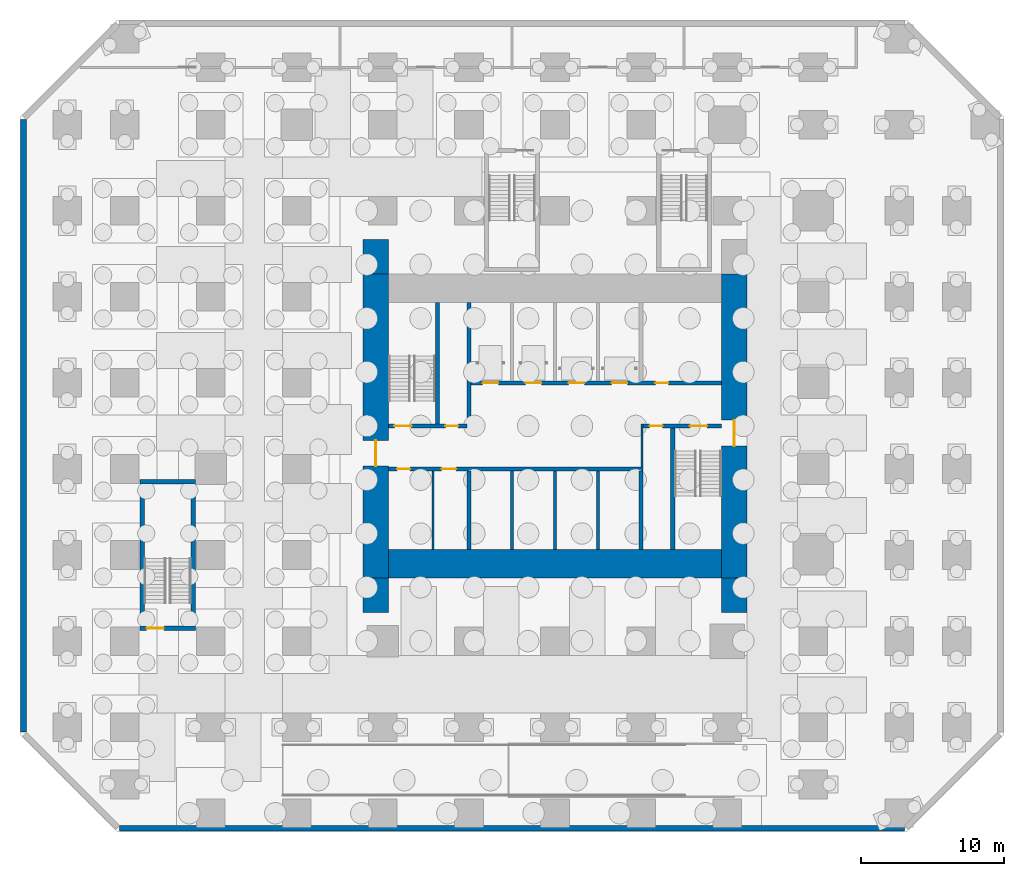
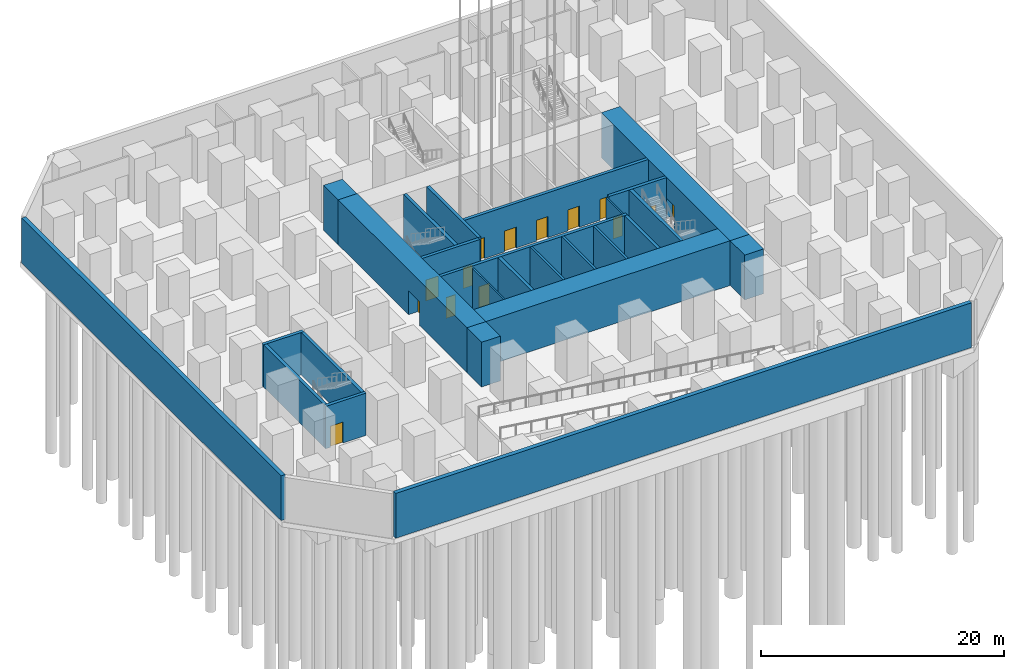
# One storey, part 3 of 11: 26 walls, 14 doors, 14 openings.
"""IFC4 building model written with IfcOpenShell, lengths in metres."""

from ifc_helpers import new_model, si_unit, direction, frame, frame_2d, origin, place, context, subcontext, project, spatial, rectangle, extrude, material, layer, layer_set, type_object, element, fill, save


model = new_model("IFC4")

# Units and contexts
model_context = context("Model", 3, precision=1e-05, world=origin(), true_north=direction((0.0, 1.0)))
body_context = subcontext(model_context, "Body", "Model", "MODEL_VIEW")
ifc_project = project(units=[si_unit("LENGTHUNIT", "METRE"), si_unit("AREAUNIT", "SQUARE_METRE"), si_unit("VOLUMEUNIT", "CUBIC_METRE"), si_unit("PLANEANGLEUNIT", "RADIAN"), si_unit("MASSUNIT", "GRAM", prefix="KILO")], contexts=[model_context])

# Site, building, storey
site_placement = place(None, origin())
site = spatial("IfcSite", under=ifc_project, at=site_placement, CompositionType="ELEMENT")
building_placement = place(site_placement, origin())
building = spatial("IfcBuilding", under=site, at=building_placement, Name="Highveld Stack Headquarters", CompositionType="ELEMENT")
storey_placement = place(building_placement, frame((0.0, 0.0, -9.0)))
storey = spatial("IfcBuildingStorey", under=building, at=storey_placement, Name="B2", CompositionType="ELEMENT", Elevation=-9.0)

# Walls
ifc_material_1 = material(Name="Concrete C60/75", Category="concrete")
ifc_layer_1 = layer(ifc_material_1, 0.39990234375)
ifc_layer_set_1 = layer_set([ifc_layer_1], Name="Concrete C60/75")
wall_type_1 = type_object("IfcWallType", Name="BASEMENT RETAINING WALL 400", PredefinedType="USERDEFINED", material=ifc_layer_set_1)
wall_1_placement = place(storey_placement, frame((-31.050048828125, -18.35009765625, 0.0), z_axis=(0.0, 0.0, 1.0), x_axis=(0.0, 1.0, 0.0)))
element("IfcWall", 1, at=wall_1_placement, inside=storey, type_object=wall_type_1, Name="Basement retaining wall B2 2", ObjectType="RETAINING WALL", PredefinedType="USERDEFINED", context=body_context, shape_type="SweptSolid", body=[
    extrude(rectangle(XDim=42.7001953125, YDim=0.39990234375, at=frame_2d((21.35009765625, 0.0))), origin(), (0.0, 0.0, 1.0), 4.5),
])
wall_2_placement = place(storey_placement, frame((30.35009765625, -25.050048828125, 0.0), z_axis=(0.0, 0.0, 1.0), x_axis=(-1.0, 0.0, 0.0)))
element("IfcWall", 2, at=wall_2_placement, inside=storey, type_object=wall_type_1, Name="Basement retaining wall B2 8", ObjectType="RETAINING WALL", PredefinedType="USERDEFINED", context=body_context, shape_type="SweptSolid", body=[
    extrude(rectangle(XDim=54.7001953125, YDim=0.39990234375, at=frame_2d((27.35009765625, 0.0))), origin(), (0.0, 0.0, 1.0), 4.5),
])

# Wall, opening, door
ifc_material_2 = material(Name="Concrete C60/75", Category="concrete")
ifc_layer_2 = layer(ifc_material_2, 1.800048828125)
ifc_layer_set_2 = layer_set([ifc_layer_2], Name="Concrete C60/75")
wall_type_2 = type_object("IfcWallType", Name="CORE WALL 1800 C60/75", PredefinedType="SHEAR", material=ifc_layer_set_2)
wall_3_placement = place(storey_placement, frame((-6.5, -7.60009765625, 0.0), z_axis=(0.0, 0.0, 1.0), x_axis=(0.0, 1.0, 0.0)))
wall_3 = element("IfcWall", 3, at=wall_3_placement, inside=storey, type_object=wall_type_2, Name="Core wall W B2", PredefinedType="SHEAR", context=body_context, shape_type="SweptSolid", body=[
    extrude(rectangle(XDim=21.2001953125, YDim=1.800048828125, at=frame_2d((10.60009765625, 0.0))), origin(), (0.0, 0.0, 1.0), 4.5),
])
opening_1_placement = place(wall_3_placement, frame((7.800048828125, 0.0, 0.0)))
opening_1 = element("IfcOpeningElement", 4, at=opening_1_placement, cuts=wall_3, Name="Opening B2-01", PredefinedType="OPENING", context=body_context, shape_type="SweptSolid", body=[
    extrude(rectangle(XDim=1.800048828125, YDim=2.39990234375, at=frame_2d((0.89990234375, 1.199951171875))), frame((0.0, 0.909912109375, 0.0), z_axis=(0.0, -1.0, 0.0), x_axis=(1.0, 0.0, 0.0)), (0.0, 0.0, 1.0), 1.820068359375),
])
ifc_material_3 = material(Name="Steel fire door", Category="steel")
door_type_1 = type_object("IfcDoorType", Name="LOBBY FIRE DOOR D4 1800x2400", OperationType="DOUBLE_DOOR_SINGLE_SWING", PredefinedType="DOOR", material=ifc_material_3)
door_1_placement = place(opening_1_placement, origin())
door_1 = element("IfcDoor", 5, at=door_1_placement, inside=storey, type_object=door_type_1, Name="Core west door B2", OperationType="DOUBLE_DOOR_SINGLE_SWING", OverallHeight=2.39990234375, OverallWidth=1.800048828125, PredefinedType="DOOR", context=body_context, shape_type="SweptSolid", body=[
    extrude(rectangle(XDim=1.800048828125, YDim=2.39990234375, at=frame_2d((0.89990234375, 1.199951171875))), frame((0.0, 0.02490234375, 0.0), z_axis=(0.0, -1.0, 0.0), x_axis=(1.0, 0.0, 0.0)), (0.0, 0.0, 1.0), 0.050048828125),
])
fill(opening_1, door_1)

wall_4_placement = place(storey_placement, frame((18.5, -7.60009765625, 0.0), z_axis=(0.0, 0.0, 1.0), x_axis=(0.0, 1.0, 0.0)))
wall_4 = element("IfcWall", 6, at=wall_4_placement, inside=storey, type_object=wall_type_2, Name="Core wall E B2", PredefinedType="SHEAR", context=body_context, shape_type="SweptSolid", body=[
    extrude(rectangle(XDim=21.2001953125, YDim=1.800048828125, at=frame_2d((10.60009765625, 0.0))), origin(), (0.0, 0.0, 1.0), 4.5),
])
opening_2_placement = place(wall_4_placement, frame((9.199951171875, 0.0, 0.0)))
opening_2 = element("IfcOpeningElement", 7, at=opening_2_placement, cuts=wall_4, Name="Opening B2-02", PredefinedType="OPENING", context=body_context, shape_type="SweptSolid", body=[
    extrude(rectangle(XDim=1.800048828125, YDim=2.39990234375, at=frame_2d((0.89990234375, 1.199951171875))), frame((0.0, 0.909912109375, 0.0), z_axis=(0.0, -1.0, 0.0), x_axis=(1.0, 0.0, 0.0)), (0.0, 0.0, 1.0), 1.820068359375),
])
door_2_placement = place(opening_2_placement, origin())
door_2 = element("IfcDoor", 8, at=door_2_placement, inside=storey, type_object=door_type_1, Name="Core east door B2", OperationType="DOUBLE_DOOR_SINGLE_SWING", OverallHeight=2.39990234375, OverallWidth=1.800048828125, PredefinedType="DOOR", context=body_context, shape_type="SweptSolid", body=[
    extrude(rectangle(XDim=1.800048828125, YDim=2.39990234375, at=frame_2d((0.89990234375, 1.199951171875))), frame((0.0, 0.02490234375, 0.0), z_axis=(0.0, -1.0, 0.0), x_axis=(1.0, 0.0, 0.0)), (0.0, 0.0, 1.0), 0.050048828125),
])
fill(opening_2, door_2)

# Wall
ifc_material_4 = material(Name="Concrete C60/75", Category="concrete")
ifc_layer_3 = layer(ifc_material_4, 2.0)
ifc_layer_set_3 = layer_set([ifc_layer_3], Name="Concrete C60/75")
wall_type_3 = type_object("IfcWallType", Name="CORE WALL 2000 C60/75", PredefinedType="SHEAR", material=ifc_layer_set_3)
wall_5_placement = place(storey_placement, frame((-5.60009765625, -6.60009765625, 0.0), z_axis=(0.0, 0.0, 1.0), x_axis=(1.0, 0.0, 0.0)))
element("IfcWall", 9, at=wall_5_placement, inside=storey, type_object=wall_type_3, Name="Core wall S B2", PredefinedType="SHEAR", context=body_context, shape_type="SweptSolid", body=[
    extrude(rectangle(XDim=23.2001953125, YDim=2.0, at=frame_2d((11.60009765625, 0.0))), origin(), (0.0, 0.0, 1.0), 4.5),
])

# Wall, openings, doors
ifc_material_5 = material(Name="Concrete C60/75", Category="concrete")
ifc_layer_4 = layer(ifc_material_5, 0.300048828125)
ifc_layer_set_4 = layer_set([ifc_layer_4], Name="Concrete C60/75")
wall_type_4 = type_object("IfcWallType", Name="CORE WALL 300 C60/75", PredefinedType="SHEAR", material=ifc_layer_set_4)
wall_6_placement = place(storey_placement, frame((-5.60009765625, 0.0, 0.0), z_axis=(0.0, 0.0, 1.0), x_axis=(1.0, 0.0, 0.0)))
wall_6 = element("IfcWall", 10, at=wall_6_placement, inside=storey, type_object=wall_type_4, Name="Core wall I-Y0 B2", PredefinedType="SHEAR", context=body_context, shape_type="SweptSolid", body=[
    extrude(rectangle(XDim=17.75, YDim=0.300048828125, at=frame_2d((8.875, 0.0))), origin(), (0.0, 0.0, 1.0), 4.5),
])
opening_3_placement = place(wall_6_placement, frame((0.60009765625, 0.0, 0.0)))
opening_3 = element("IfcOpeningElement", 11, at=opening_3_placement, cuts=wall_6, Name="Opening B2-07", PredefinedType="OPENING", context=body_context, shape_type="SweptSolid", body=[
    extrude(rectangle(XDim=0.89990234375, YDim=2.10009765625, at=frame_2d((0.449951171875, 1.050048828125))), frame((0.0, 0.159912109375, 0.0), z_axis=(0.0, -1.0, 0.0), x_axis=(1.0, 0.0, 0.0)), (0.0, 0.0, 1.0), 0.320068359375),
])
opening_4_placement = place(wall_6_placement, frame((3.699951171875, 0.0, 0.0)))
opening_4 = element("IfcOpeningElement", 12, at=opening_4_placement, cuts=wall_6, Name="Opening B2-08", PredefinedType="OPENING", context=body_context, shape_type="SweptSolid", body=[
    extrude(rectangle(XDim=1.0, YDim=2.10009765625, at=frame_2d((0.5, 1.050048828125))), frame((0.0, 0.159912109375, 0.0), z_axis=(0.0, -1.0, 0.0), x_axis=(1.0, 0.0, 0.0)), (0.0, 0.0, 1.0), 0.320068359375),
])
ifc_material_6 = material(Name="Timber door, painted", Category="wood")
door_type_2 = type_object("IfcDoorType", Name="ACCESSIBLE WC DOOR D2 1000x2100", OperationType="SINGLE_SWING_RIGHT", PredefinedType="DOOR", material=ifc_material_6)
door_3_placement = place(opening_4_placement, origin())
door_3 = element("IfcDoor", 13, at=door_3_placement, inside=storey, type_object=door_type_2, Name="Accessible WC door B2", OperationType="SINGLE_SWING_LEFT", OverallHeight=2.10009765625, OverallWidth=1.0, PredefinedType="DOOR", context=body_context, shape_type="SweptSolid", body=[
    extrude(rectangle(XDim=1.0, YDim=2.10009765625, at=frame_2d((0.5, 1.050048828125))), frame((0.0, 0.02490234375, 0.0), z_axis=(0.0, -1.0, 0.0), x_axis=(1.0, 0.0, 0.0)), (0.0, 0.0, 1.0), 0.050048828125),
])
fill(opening_4, door_3)
ifc_material_7 = material(Name="Timber door, painted", Category="wood")
door_type_3 = type_object("IfcDoorType", Name="WC DOOR D1 900x2100", OperationType="SINGLE_SWING_LEFT", PredefinedType="DOOR", material=ifc_material_7)
door_4_placement = place(opening_3_placement, origin())
door_4 = element("IfcDoor", 14, at=door_4_placement, inside=storey, type_object=door_type_3, Name="Female WC door B2", OperationType="SINGLE_SWING_LEFT", OverallHeight=2.10009765625, OverallWidth=0.89990234375, PredefinedType="DOOR", context=body_context, shape_type="SweptSolid", body=[
    extrude(rectangle(XDim=0.89990234375, YDim=2.10009765625, at=frame_2d((0.449951171875, 1.050048828125))), frame((0.0, 0.02490234375, 0.0), z_axis=(0.0, -1.0, 0.0), x_axis=(1.0, 0.0, 0.0)), (0.0, 0.0, 1.0), 0.050048828125),
])
fill(opening_3, door_4)

wall_7_placement = place(storey_placement, frame((-5.60009765625, 3.0, 0.0), z_axis=(0.0, 0.0, 1.0), x_axis=(1.0, 0.0, 0.0)))
wall_7 = element("IfcWall", 15, at=wall_7_placement, inside=storey, type_object=wall_type_4, Name="Core wall I-Y3W B2", PredefinedType="SHEAR", context=body_context, shape_type="SweptSolid", body=[
    extrude(rectangle(XDim=5.4501953125, YDim=0.300048828125, at=frame_2d((2.72509765625, 0.0))), origin(), (0.0, 0.0, 1.0), 4.5),
])
opening_5_placement = place(wall_7_placement, frame((0.39990234375, 0.0, 0.0)))
opening_5 = element("IfcOpeningElement", 16, at=opening_5_placement, cuts=wall_7, Name="Opening B2-03", PredefinedType="OPENING", context=body_context, shape_type="SweptSolid", body=[
    extrude(rectangle(XDim=1.199951171875, YDim=2.10009765625, at=frame_2d((0.60009765625, 1.050048828125))), frame((0.0, 0.159912109375, 0.0), z_axis=(0.0, -1.0, 0.0), x_axis=(1.0, 0.0, 0.0)), (0.0, 0.0, 1.0), 0.320068359375),
])
opening_6_placement = place(wall_7_placement, frame((3.949951171875, 0.0, 0.0)))
opening_6 = element("IfcOpeningElement", 17, at=opening_6_placement, cuts=wall_7, Name="Opening B2-04", PredefinedType="OPENING", context=body_context, shape_type="SweptSolid", body=[
    extrude(rectangle(XDim=0.89990234375, YDim=2.10009765625, at=frame_2d((0.449951171875, 1.050048828125))), frame((0.0, 0.159912109375, 0.0), z_axis=(0.0, -1.0, 0.0), x_axis=(1.0, 0.0, 0.0)), (0.0, 0.0, 1.0), 0.320068359375),
])
ifc_material_8 = material(Name="Steel fire door", Category="steel")
door_type_4 = type_object("IfcDoorType", Name="RISER ACCESS DOOR D5 900x2100", OperationType="SINGLE_SWING_LEFT", PredefinedType="DOOR", material=ifc_material_8)
door_5_placement = place(opening_6_placement, origin())
door_5 = element("IfcDoor", 18, at=door_5_placement, inside=storey, type_object=door_type_4, Name="Riser R1 door B2", OperationType="SINGLE_SWING_RIGHT", OverallHeight=2.10009765625, OverallWidth=0.89990234375, PredefinedType="DOOR", context=body_context, shape_type="SweptSolid", body=[
    extrude(rectangle(XDim=0.89990234375, YDim=2.10009765625, at=frame_2d((0.449951171875, 1.050048828125))), frame((0.0, 0.02490234375, 0.0), z_axis=(0.0, -1.0, 0.0), x_axis=(1.0, 0.0, 0.0)), (0.0, 0.0, 1.0), 0.050048828125),
])
fill(opening_6, door_5)
ifc_material_9 = material(Name="Steel fire door", Category="steel")
door_type_5 = type_object("IfcDoorType", Name="STAIR FIRE DOOR D3 1200x2100", OperationType="SINGLE_SWING_LEFT", PredefinedType="DOOR", material=ifc_material_9)
door_6_placement = place(opening_5_placement, origin())
door_6 = element("IfcDoor", 19, at=door_6_placement, inside=storey, type_object=door_type_5, Name="Stair S1 door B2", OperationType="SINGLE_SWING_LEFT", OverallHeight=2.10009765625, OverallWidth=1.199951171875, PredefinedType="DOOR", context=body_context, shape_type="SweptSolid", body=[
    extrude(rectangle(XDim=1.199951171875, YDim=2.10009765625, at=frame_2d((0.60009765625, 1.050048828125))), frame((0.0, 0.02490234375, 0.0), z_axis=(0.0, -1.0, 0.0), x_axis=(1.0, 0.0, 0.0)), (0.0, 0.0, 1.0), 0.050048828125),
])
fill(opening_5, door_6)

wall_8_placement = place(storey_placement, frame((12.14990234375, 3.0, 0.0), z_axis=(0.0, 0.0, 1.0), x_axis=(1.0, 0.0, 0.0)))
wall_8 = element("IfcWall", 20, at=wall_8_placement, inside=storey, type_object=wall_type_4, Name="Core wall I-Y3E B2", PredefinedType="SHEAR", context=body_context, shape_type="SweptSolid", body=[
    extrude(rectangle(XDim=5.4501953125, YDim=0.300048828125, at=frame_2d((2.72509765625, 0.0))), origin(), (0.0, 0.0, 1.0), 4.5),
])
opening_7_placement = place(wall_8_placement, frame((3.25, 0.0, 0.0)))
opening_7 = element("IfcOpeningElement", 21, at=opening_7_placement, cuts=wall_8, Name="Opening B2-05", PredefinedType="OPENING", context=body_context, shape_type="SweptSolid", body=[
    extrude(rectangle(XDim=1.199951171875, YDim=2.10009765625, at=frame_2d((0.60009765625, 1.050048828125))), frame((0.0, 0.159912109375, 0.0), z_axis=(0.0, -1.0, 0.0), x_axis=(1.0, 0.0, 0.0)), (0.0, 0.0, 1.0), 0.320068359375),
])
opening_8_placement = place(wall_8_placement, frame((0.449951171875, 0.0, 0.0)))
opening_8 = element("IfcOpeningElement", 22, at=opening_8_placement, cuts=wall_8, Name="Opening B2-06", PredefinedType="OPENING", context=body_context, shape_type="SweptSolid", body=[
    extrude(rectangle(XDim=0.89990234375, YDim=2.10009765625, at=frame_2d((0.449951171875, 1.050048828125))), frame((0.0, 0.159912109375, 0.0), z_axis=(0.0, -1.0, 0.0), x_axis=(1.0, 0.0, 0.0)), (0.0, 0.0, 1.0), 0.320068359375),
])
door_7_placement = place(opening_8_placement, origin())
door_7 = element("IfcDoor", 23, at=door_7_placement, inside=storey, type_object=door_type_4, Name="Riser R2 door B2", OperationType="SINGLE_SWING_LEFT", OverallHeight=2.10009765625, OverallWidth=0.89990234375, PredefinedType="DOOR", context=body_context, shape_type="SweptSolid", body=[
    extrude(rectangle(XDim=0.89990234375, YDim=2.10009765625, at=frame_2d((0.449951171875, 1.050048828125))), frame((0.0, 0.02490234375, 0.0), z_axis=(0.0, -1.0, 0.0), x_axis=(1.0, 0.0, 0.0)), (0.0, 0.0, 1.0), 0.050048828125),
])
fill(opening_8, door_7)
door_8_placement = place(opening_7_placement, origin())
door_8 = element("IfcDoor", 24, at=door_8_placement, inside=storey, type_object=door_type_5, Name="Stair S2 door B2", OperationType="SINGLE_SWING_RIGHT", OverallHeight=2.10009765625, OverallWidth=1.199951171875, PredefinedType="DOOR", context=body_context, shape_type="SweptSolid", body=[
    extrude(rectangle(XDim=1.199951171875, YDim=2.10009765625, at=frame_2d((0.60009765625, 1.050048828125))), frame((0.0, 0.02490234375, 0.0), z_axis=(0.0, -1.0, 0.0), x_axis=(1.0, 0.0, 0.0)), (0.0, 0.0, 1.0), 0.050048828125),
])
fill(opening_7, door_8)

wall_9_placement = place(storey_placement, frame((-0.14990234375, 6.0, 0.0), z_axis=(0.0, 0.0, 1.0), x_axis=(1.0, 0.0, 0.0)))
wall_9 = element("IfcWall", 25, at=wall_9_placement, inside=storey, type_object=wall_type_4, Name="Core wall I-Y6 B2", PredefinedType="SHEAR", context=body_context, shape_type="SweptSolid", body=[
    extrude(rectangle(XDim=17.75, YDim=0.300048828125, at=frame_2d((8.875, 0.0))), origin(), (0.0, 0.0, 1.0), 4.5),
])
opening_9_placement = place(wall_9_placement, frame((13.14990234375, 0.0, 0.0)))
opening_9 = element("IfcOpeningElement", 26, at=opening_9_placement, cuts=wall_9, Name="Opening B2-09", PredefinedType="OPENING", context=body_context, shape_type="SweptSolid", body=[
    extrude(rectangle(XDim=0.89990234375, YDim=2.10009765625, at=frame_2d((0.449951171875, 1.050048828125))), frame((0.0, 0.159912109375, 0.0), z_axis=(0.0, -1.0, 0.0), x_axis=(1.0, 0.0, 0.0)), (0.0, 0.0, 1.0), 0.320068359375),
])
opening_10_placement = place(wall_9_placement, frame((1.10009765625, 0.0, 0.0)))
opening_10 = element("IfcOpeningElement", 27, at=opening_10_placement, cuts=wall_9, Name="Opening LD", PredefinedType="OPENING", context=body_context, shape_type="SweptSolid", body=[
    extrude(rectangle(XDim=1.10009765625, YDim=2.10009765625, at=frame_2d((0.550048828125, 1.050048828125))), frame((0.0, 0.159912109375, 0.0), z_axis=(0.0, -1.0, 0.0), x_axis=(1.0, 0.0, 0.0)), (0.0, 0.0, 1.0), 0.320068359375),
])
opening_11_placement = place(wall_9_placement, frame((4.10009765625, 0.0, 0.0)))
opening_11 = element("IfcOpeningElement", 28, at=opening_11_placement, cuts=wall_9, Name="Opening LD", PredefinedType="OPENING", context=body_context, shape_type="SweptSolid", body=[
    extrude(rectangle(XDim=1.10009765625, YDim=2.10009765625, at=frame_2d((0.550048828125, 1.050048828125))), frame((0.0, 0.159912109375, 0.0), z_axis=(0.0, -1.0, 0.0), x_axis=(1.0, 0.0, 0.0)), (0.0, 0.0, 1.0), 0.320068359375),
])
opening_12_placement = place(wall_9_placement, frame((7.10009765625, 0.0, 0.0)))
opening_12 = element("IfcOpeningElement", 29, at=opening_12_placement, cuts=wall_9, Name="Opening LD", PredefinedType="OPENING", context=body_context, shape_type="SweptSolid", body=[
    extrude(rectangle(XDim=1.10009765625, YDim=2.10009765625, at=frame_2d((0.550048828125, 1.050048828125))), frame((0.0, 0.159912109375, 0.0), z_axis=(0.0, -1.0, 0.0), x_axis=(1.0, 0.0, 0.0)), (0.0, 0.0, 1.0), 0.320068359375),
])
opening_13_placement = place(wall_9_placement, frame((10.10009765625, 0.0, 0.0)))
opening_13 = element("IfcOpeningElement", 30, at=opening_13_placement, cuts=wall_9, Name="Opening LD", PredefinedType="OPENING", context=body_context, shape_type="SweptSolid", body=[
    extrude(rectangle(XDim=1.10009765625, YDim=2.10009765625, at=frame_2d((0.550048828125, 1.050048828125))), frame((0.0, 0.159912109375, 0.0), z_axis=(0.0, -1.0, 0.0), x_axis=(1.0, 0.0, 0.0)), (0.0, 0.0, 1.0), 0.320068359375),
])
ifc_material_10 = material(Name="Stainless steel lift landing door", Category="steel")
door_type_6 = type_object("IfcDoorType", Name="LIFT LANDING DOOR LD 1100x2100", OperationType="DOUBLE_DOOR_SLIDING", PredefinedType="USERDEFINED", material=ifc_material_10)
door_9_placement = place(opening_10_placement, origin())
door_9 = element("IfcDoor", 31, at=door_9_placement, inside=storey, type_object=door_type_6, Name="Lift landing door FF1 B2", ObjectType="LIFT LANDING DOOR", OperationType="DOUBLE_DOOR_SLIDING", OverallHeight=2.10009765625, OverallWidth=1.10009765625, PredefinedType="USERDEFINED", context=body_context, shape_type="SweptSolid", body=[
    extrude(rectangle(XDim=1.10009765625, YDim=2.10009765625, at=frame_2d((0.550048828125, 1.050048828125))), frame((0.0, 0.02490234375, 0.0), z_axis=(0.0, -1.0, 0.0), x_axis=(1.0, 0.0, 0.0)), (0.0, 0.0, 1.0), 0.050048828125),
])
fill(opening_10, door_9)
door_10_placement = place(opening_11_placement, origin())
door_10 = element("IfcDoor", 32, at=door_10_placement, inside=storey, type_object=door_type_6, Name="Lift landing door FF2 B2", ObjectType="LIFT LANDING DOOR", OperationType="DOUBLE_DOOR_SLIDING", OverallHeight=2.10009765625, OverallWidth=1.10009765625, PredefinedType="USERDEFINED", context=body_context, shape_type="SweptSolid", body=[
    extrude(rectangle(XDim=1.10009765625, YDim=2.10009765625, at=frame_2d((0.550048828125, 1.050048828125))), frame((0.0, 0.02490234375, 0.0), z_axis=(0.0, -1.0, 0.0), x_axis=(1.0, 0.0, 0.0)), (0.0, 0.0, 1.0), 0.050048828125),
])
fill(opening_11, door_10)
door_11_placement = place(opening_12_placement, origin())
door_11 = element("IfcDoor", 33, at=door_11_placement, inside=storey, type_object=door_type_6, Name="Lift landing door A1 B2", ObjectType="LIFT LANDING DOOR", OperationType="DOUBLE_DOOR_SLIDING", OverallHeight=2.10009765625, OverallWidth=1.10009765625, PredefinedType="USERDEFINED", context=body_context, shape_type="SweptSolid", body=[
    extrude(rectangle(XDim=1.10009765625, YDim=2.10009765625, at=frame_2d((0.550048828125, 1.050048828125))), frame((0.0, 0.02490234375, 0.0), z_axis=(0.0, -1.0, 0.0), x_axis=(1.0, 0.0, 0.0)), (0.0, 0.0, 1.0), 0.050048828125),
])
fill(opening_12, door_11)
door_12_placement = place(opening_13_placement, origin())
door_12 = element("IfcDoor", 34, at=door_12_placement, inside=storey, type_object=door_type_6, Name="Lift landing door A2 B2", ObjectType="LIFT LANDING DOOR", OperationType="DOUBLE_DOOR_SLIDING", OverallHeight=2.10009765625, OverallWidth=1.10009765625, PredefinedType="USERDEFINED", context=body_context, shape_type="SweptSolid", body=[
    extrude(rectangle(XDim=1.10009765625, YDim=2.10009765625, at=frame_2d((0.550048828125, 1.050048828125))), frame((0.0, 0.02490234375, 0.0), z_axis=(0.0, -1.0, 0.0), x_axis=(1.0, 0.0, 0.0)), (0.0, 0.0, 1.0), 0.050048828125),
])
fill(opening_13, door_12)
door_13_placement = place(opening_9_placement, origin())
door_13 = element("IfcDoor", 35, at=door_13_placement, inside=storey, type_object=door_type_3, Name="Male WC door B2", OperationType="SINGLE_SWING_RIGHT", OverallHeight=2.10009765625, OverallWidth=0.89990234375, PredefinedType="DOOR", context=body_context, shape_type="SweptSolid", body=[
    extrude(rectangle(XDim=0.89990234375, YDim=2.10009765625, at=frame_2d((0.449951171875, 1.050048828125))), frame((0.0, 0.02490234375, 0.0), z_axis=(0.0, -1.0, 0.0), x_axis=(1.0, 0.0, 0.0)), (0.0, 0.0, 1.0), 0.050048828125),
])
fill(opening_9, door_13)

# Walls
wall_10_placement = place(storey_placement, frame((0.0, -5.60009765625, 0.0), z_axis=(0.0, 0.0, 1.0), x_axis=(0.0, 1.0, 0.0)))
element("IfcWall", 36, at=wall_10_placement, inside=storey, type_object=wall_type_4, Name="Core wall I-X0S B2", PredefinedType="SHEAR", context=body_context, shape_type="SweptSolid", body=[
    extrude(rectangle(XDim=5.4501953125, YDim=0.300048828125, at=frame_2d((2.72509765625, 0.0))), origin(), (0.0, 0.0, 1.0), 4.5),
])
wall_11_placement = place(storey_placement, frame((0.0, 3.14990234375, 0.0), z_axis=(0.0, 0.0, 1.0), x_axis=(0.0, 1.0, 0.0)))
element("IfcWall", 37, at=wall_11_placement, inside=storey, type_object=wall_type_4, Name="Core wall I-X0N B2", PredefinedType="SHEAR", context=body_context, shape_type="SweptSolid", body=[
    extrude(rectangle(XDim=8.4501953125, YDim=0.300048828125, at=frame_2d((4.22509765625, 0.0))), origin(), (0.0, 0.0, 1.0), 4.5),
])
wall_12_placement = place(storey_placement, frame((12.0, -5.60009765625, 0.0), z_axis=(0.0, 0.0, 1.0), x_axis=(0.0, 1.0, 0.0)))
element("IfcWall", 38, at=wall_12_placement, inside=storey, type_object=wall_type_4, Name="Core wall I-X12S B2", PredefinedType="SHEAR", context=body_context, shape_type="SweptSolid", body=[
    extrude(rectangle(XDim=5.4501953125, YDim=0.300048828125, at=frame_2d((2.72509765625, 0.0))), origin(), (0.0, 0.0, 1.0), 4.5),
])
for number, where, z_axis, x_axis, name in (
    (39, (-2.199951171875, 3.14990234375, 0.0), (0.0, 0.0, 1.0), (0.0, 1.0, 0.0), "Core wall I-RW B2"),
    (40, (14.199951171875, -5.60009765625, 0.0), (0.0, 0.0, 1.0), (0.0, 1.0, 0.0), "Core wall I-RE B2"),
):
    element("IfcWall", number, at=place(storey_placement, frame(where, z_axis=z_axis, x_axis=x_axis)), inside=storey, type_object=wall_type_4, Name=name, PredefinedType="SHEAR", context=body_context, shape_type="SweptSolid", body=[
        extrude(rectangle(XDim=8.4501953125, YDim=0.300048828125, at=frame_2d((4.22509765625, 0.0))), origin(), (0.0, 0.0, 1.0), 4.5),
    ])
ifc_material_11 = material(Name="Concrete C60/75", Category="concrete")
ifc_layer_5 = layer(ifc_material_11, 1.800048828125)
ifc_layer_set_5 = layer_set([ifc_layer_5], Name="Concrete C60/75")
wall_type_5 = type_object("IfcWallType", Name="CORE WING WALL 1800 C60/75", PredefinedType="SHEAR", material=ifc_layer_set_5)
for number, where, z_axis, x_axis, name in (
    (41, (-6.5, -10.0, 0.0), (0.0, 0.0, 1.0), (0.0, 1.0, 0.0), "Core wing wall WS B2"),
    (42, (-6.5, 13.60009765625, 0.0), (0.0, 0.0, 1.0), (0.0, 1.0, 0.0), "Core wing wall WN B2"),
    (43, (18.5, -10.0, 0.0), (0.0, 0.0, 1.0), (0.0, 1.0, 0.0), "Core wing wall ES B2"),
):
    element("IfcWall", number, at=place(storey_placement, frame(where, z_axis=z_axis, x_axis=x_axis)), inside=storey, type_object=wall_type_5, Name=name, PredefinedType="SHEAR", context=body_context, shape_type="SweptSolid", body=[
        extrude(rectangle(XDim=2.39990234375, YDim=1.800048828125, at=frame_2d((1.199951171875, 0.0))), origin(), (0.0, 0.0, 1.0), 4.5),
    ])
ifc_material_12 = material(Name="Concrete blockwork, plastered", Category="masonry")
ifc_layer_6 = layer(ifc_material_12, 0.14990234375)
ifc_layer_set_6 = layer_set([ifc_layer_6], Name="Concrete blockwork, plastered")
wall_type_6 = type_object("IfcWallType", Name="FIRE PARTITION 150 BLOCKWORK", PredefinedType="PARTITIONING", material=ifc_layer_set_6)
wall_13_placement = place(storey_placement, frame((12.074951171875, 0.14990234375, 0.0), z_axis=(0.0, 0.0, 1.0), x_axis=(0.0, 1.0, 0.0)))
element("IfcWall", 44, at=wall_13_placement, inside=storey, type_object=wall_type_6, Name="Riser R2 enclosure B2", PredefinedType="PARTITIONING", context=body_context, shape_type="SweptSolid", body=[
    extrude(rectangle(XDim=3.0, YDim=0.14990234375, at=frame_2d((1.5, 0.0))), origin(), (0.0, 0.0, 1.0), 4.25),
])
ifc_material_13 = material(Name="Concrete blockwork, fair-faced", Category="masonry")
ifc_layer_7 = layer(ifc_material_13, 0.199951171875)
ifc_layer_set_7 = layer_set([ifc_layer_7], Name="Concrete blockwork, fair-faced")
wall_type_7 = type_object("IfcWallType", Name="LIFT SHAFT ENCLOSURE WALL 200 BLOCKWORK", PredefinedType="SOLIDWALL", material=ifc_layer_set_7)
for number, where, z_axis, x_axis, name in (
    (45, (3.0, -5.60009765625, 0.0), (0.0, 0.0, 1.0), (0.0, 1.0, 0.0), "Lift shaft wall B2"),
    (46, (6.0, -5.60009765625, 0.0), (0.0, 0.0, 1.0), (0.0, 1.0, 0.0), "Lift shaft wall B2"),
    (47, (9.0, -5.60009765625, 0.0), (0.0, 0.0, 1.0), (0.0, 1.0, 0.0), "Lift shaft wall B2"),
):
    element("IfcWall", number, at=place(storey_placement, frame(where, z_axis=z_axis, x_axis=x_axis)), inside=storey, type_object=wall_type_7, Name=name, PredefinedType="SOLIDWALL", context=body_context, shape_type="SweptSolid", body=[
        extrude(rectangle(XDim=5.4501953125, YDim=0.199951171875, at=frame_2d((2.72509765625, 0.0))), origin(), (0.0, 0.0, 1.0), 4.5),
    ])

# Wall, opening, door
ifc_material_14 = material(Name="Concrete C40/50", Category="concrete")
ifc_layer_8 = layer(ifc_material_14, 0.300048828125)
ifc_layer_set_8 = layer_set([ifc_layer_8], Name="Concrete C40/50")
wall_type_8 = type_object("IfcWallType", Name="STAIR ENCLOSURE WALL 300", PredefinedType="SOLIDWALL", material=ifc_layer_set_8)
wall_14_placement = place(storey_placement, frame((-22.925048828125, -11.10009765625, 0.0), z_axis=(0.0, 0.0, 1.0), x_axis=(1.0, 0.0, 0.0)))
wall_14 = element("IfcWall", 48, at=wall_14_placement, inside=storey, type_object=wall_type_8, Name="Stair PS1 enclosure S B2", PredefinedType="SOLIDWALL", context=body_context, shape_type="SweptSolid", body=[
    extrude(rectangle(XDim=3.85009765625, YDim=0.300048828125, at=frame_2d((1.925048828125, 0.0))), origin(), (0.0, 0.0, 1.0), 4.25),
])
opening_14_placement = place(wall_14_placement, frame((0.449951171875, 0.0, 0.0)))
opening_14 = element("IfcOpeningElement", 49, at=opening_14_placement, cuts=wall_14, Name="Opening B2-10", PredefinedType="OPENING", context=body_context, shape_type="SweptSolid", body=[
    extrude(rectangle(XDim=1.199951171875, YDim=2.10009765625, at=frame_2d((0.60009765625, 1.050048828125))), frame((0.0, 0.159912109375, 0.0), z_axis=(0.0, -1.0, 0.0), x_axis=(1.0, 0.0, 0.0)), (0.0, 0.0, 1.0), 0.320068359375),
])
door_14_placement = place(opening_14_placement, origin())
door_14 = element("IfcDoor", 50, at=door_14_placement, inside=storey, type_object=door_type_5, Name="Stair PS1 door B2", OperationType="SINGLE_SWING_LEFT", OverallHeight=2.10009765625, OverallWidth=1.199951171875, PredefinedType="DOOR", context=body_context, shape_type="SweptSolid", body=[
    extrude(rectangle(XDim=1.199951171875, YDim=2.10009765625, at=frame_2d((0.60009765625, 1.050048828125))), frame((0.0, 0.02490234375, 0.0), z_axis=(0.0, -1.0, 0.0), x_axis=(1.0, 0.0, 0.0)), (0.0, 0.0, 1.0), 0.050048828125),
])
fill(opening_14, door_14)

# Walls
wall_15_placement = place(storey_placement, frame((-22.925048828125, -0.89990234375, 0.0), z_axis=(0.0, 0.0, 1.0), x_axis=(1.0, 0.0, 0.0)))
element("IfcWall", 51, at=wall_15_placement, inside=storey, type_object=wall_type_8, Name="Stair PS1 enclosure N B2", PredefinedType="SOLIDWALL", context=body_context, shape_type="SweptSolid", body=[
    extrude(rectangle(XDim=3.85009765625, YDim=0.300048828125, at=frame_2d((1.925048828125, 0.0))), origin(), (0.0, 0.0, 1.0), 4.25),
])
for number, where, z_axis, x_axis, name in (
    (52, (-22.77490234375, -10.949951171875, 0.0), (0.0, 0.0, 1.0), (0.0, 1.0, 0.0), "Stair PS1 enclosure W B2"),
    (53, (-19.22509765625, -10.949951171875, 0.0), (0.0, 0.0, 1.0), (0.0, 1.0, 0.0), "Stair PS1 enclosure E B2"),
):
    element("IfcWall", number, at=place(storey_placement, frame(where, z_axis=z_axis, x_axis=x_axis)), inside=storey, type_object=wall_type_8, Name=name, PredefinedType="SOLIDWALL", context=body_context, shape_type="SweptSolid", body=[
        extrude(rectangle(XDim=9.89990234375, YDim=0.300048828125, at=frame_2d((4.949951171875, 0.0))), origin(), (0.0, 0.0, 1.0), 4.25),
    ])
ifc_material_15 = material(Name="Concrete blockwork, tiled", Category="masonry")
ifc_layer_9 = layer(ifc_material_15, 0.14990234375)
ifc_layer_set_9 = layer_set([ifc_layer_9], Name="Concrete blockwork, tiled")
wall_type_9 = type_object("IfcWallType", Name="WC PARTITION 150", PredefinedType="PLUMBINGWALL", material=ifc_layer_set_9)
wall_16_placement = place(storey_placement, frame((-2.5, -5.60009765625, 0.0), z_axis=(0.0, 0.0, 1.0), x_axis=(0.0, 1.0, 0.0)))
element("IfcWall", 54, at=wall_16_placement, inside=storey, type_object=wall_type_9, Name="Toilet partition B2", PredefinedType="PLUMBINGWALL", context=body_context, shape_type="SweptSolid", body=[
    extrude(rectangle(XDim=5.4501953125, YDim=0.14990234375, at=frame_2d((2.72509765625, 0.0))), origin(), (0.0, 0.0, 1.0), 4.25),
])

save(model, "model.ifc")
